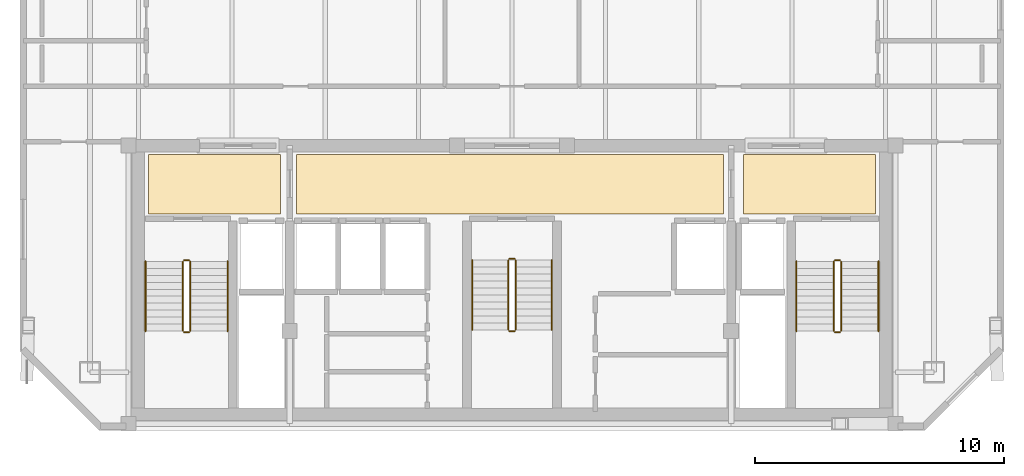
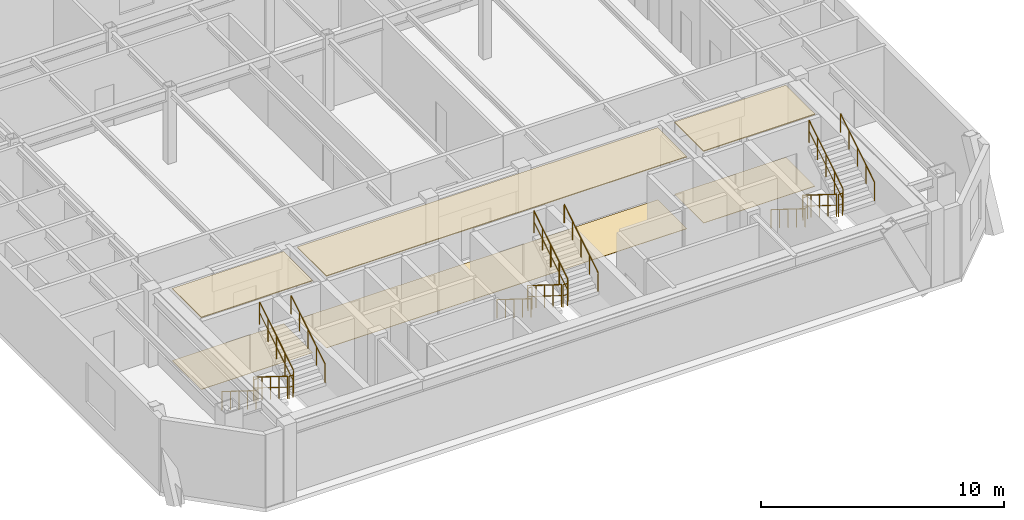
# One storey, part 7 of 7: 18 railings, 6 coverings.
"""IFC4 building model written with IfcOpenShell, lengths in metres."""

import ifcopenshell
import ifcopenshell.guid

model = None  # the IFC model being written
_history = None  # IfcOwnerHistory: only IFC2X3 demands one
_inside = {}  # id of a spatial element -> (the spatial element, [elements in it])
_under = {}  # id of a project, library or spatial element -> (it, [spatial elements below it])
_declared = {}  # id of a project -> (the project, [libraries it declares])
_typed = {}  # id of a type object -> (the type object, [elements of that type])
_made_of = {}  # id of a material, layer set ... -> (it, [elements and type objects made of it])


def new_model(schema):
    """Start an empty IFC model of exactly this schema.

    Asked for "IFC4X3", IfcOpenShell would pick the latest addendum, in which some entities
    have other attributes; the version numbers below select the first issue.
    IFC2X3 requires an IfcOwnerHistory on every rooted entity: one is made here for all.
    """
    global model, _history
    if schema == "IFC4X3":
        model = ifcopenshell.file(schema_version=(4, 3, 0, 0))
    else:
        model = ifcopenshell.file(schema=schema)
    _inside.clear()
    _under.clear()
    _declared.clear()
    _typed.clear()
    _made_of.clear()
    _history = None
    if model.schema == "IFC2X3":
        org = make("IfcOrganization", Name="unknown")
        user = make(
            "IfcPersonAndOrganization",
            ThePerson=make("IfcPerson", FamilyName="unknown"),
            TheOrganization=org,
        )
        app = make(
            "IfcApplication",
            ApplicationDeveloper=org,
            Version="unknown",
            ApplicationFullName="unknown",
            ApplicationIdentifier="unknown",
        )
        _history = make(
            "IfcOwnerHistory",
            OwningUser=user,
            OwningApplication=app,
            ChangeAction="ADDED",
            CreationDate=0,
        )
    return model


def make(cls, **values):
    """One entity of the class cls with the attributes given. An attribute that is None is left unset."""
    return model.create_entity(
        cls, **{name: value for name, value in values.items() if value is not None}
    )


def rooted(cls, **values):
    """An entity with a GlobalId (a new one), such as an element, a storey or a relation."""
    return make(cls, GlobalId=ifcopenshell.guid.new(), OwnerHistory=_history, **values)


def si_unit(unit_type, name, prefix=None):
    """IfcSIUnit, for example si_unit("LENGTHUNIT", "METRE", prefix="MILLI")."""
    return make("IfcSIUnit", UnitType=unit_type, Prefix=prefix, Name=name)


def assignment(units):
    """IfcUnitAssignment: the units of a project."""
    return None if units is None else make("IfcUnitAssignment", Units=units)


def point(xyz):
    """IfcCartesianPoint."""
    return None if xyz is None else make("IfcCartesianPoint", Coordinates=xyz)


def direction(xyz):
    """IfcDirection."""
    return None if xyz is None else make("IfcDirection", DirectionRatios=xyz)


def frame(location, z_axis=None, x_axis=None):
    """IfcAxis2Placement3D, a coordinate frame: its origin and axes. An axis left out is left unset."""
    return make(
        "IfcAxis2Placement3D",
        Location=point(location),
        Axis=direction(z_axis),
        RefDirection=direction(x_axis),
    )


def frame_2d(location, x_axis=None):
    """IfcAxis2Placement2D, a coordinate frame in the plane: its origin and x axis."""
    return make(
        "IfcAxis2Placement2D", Location=point(location), RefDirection=direction(x_axis)
    )


def origin():
    """The frame at (0, 0, 0) with its axes left unset."""
    return frame((0.0, 0.0, 0.0))


def origin_2d():
    """The frame at (0, 0) in the plane with its x axis left unset."""
    return frame_2d((0.0, 0.0))


def place(relative_to, where):
    """IfcLocalPlacement: puts the frame where relative to a parent placement (None: the world)."""
    return make(
        "IfcLocalPlacement", PlacementRelTo=relative_to, RelativePlacement=where
    )


def context(
    kind, dimensions, precision=None, world=None, true_north=None, identifier=None
):
    """IfcGeometricRepresentationContext, for example the 3D "Model" context."""
    return make(
        "IfcGeometricRepresentationContext",
        ContextIdentifier=identifier,
        ContextType=kind,
        CoordinateSpaceDimension=dimensions,
        Precision=precision,
        WorldCoordinateSystem=world,
        TrueNorth=true_north,
    )


def subcontext(parent, identifier, kind, view, scale=None):
    """IfcGeometricRepresentationSubContext, for example "Body" below "Model"."""
    return make(
        "IfcGeometricRepresentationSubContext",
        ContextIdentifier=identifier,
        ContextType=kind,
        ParentContext=parent,
        TargetScale=scale,
        TargetView=view,
    )


def project(units=None, contexts=None):
    """IfcProject with its units and contexts."""
    return rooted(
        "IfcProject",
        Name="project",
        RepresentationContexts=contexts,
        UnitsInContext=assignment(units),
    )


def spatial(cls, under=None, at=None, **own):
    """A site, building, storey or space (cls), placed at a placement, below another one or the project."""
    s = rooted(cls, ObjectPlacement=at, **own)
    if under is not None:
        _under.setdefault(under.id(), (under, []))[1].append(s)
    return s


def polyline(points):
    """IfcPolyline through the points."""
    return make("IfcPolyline", Points=[point(p) for p in points])


def profile(cls, at=None, kind="AREA", **sizes):
    """A parametric profile (cls). Its sizes go by their IFC names, for example OverallWidth=200.0."""
    return make(cls, ProfileType=kind, Position=at, **sizes)


def circle(**sizes):
    """IfcCircleProfileDef."""
    return profile("IfcCircleProfileDef", **sizes)


def outline(outer, holes=None, kind="AREA"):
    """IfcArbitraryClosedProfileDef: a profile drawn as a closed curve; with holes, ...WithVoids."""
    if holes is None:
        return make("IfcArbitraryClosedProfileDef", ProfileType=kind, OuterCurve=outer)
    return make(
        "IfcArbitraryProfileDefWithVoids",
        ProfileType=kind,
        OuterCurve=outer,
        InnerCurves=holes,
    )


def extrude(swept, where, along, depth):
    """IfcExtrudedAreaSolid: the profile swept, set in the frame where, extruded along a direction by depth."""
    return make(
        "IfcExtrudedAreaSolid",
        SweptArea=swept,
        Position=where,
        ExtrudedDirection=direction(along),
        Depth=depth,
    )


def shape(context_of_items, identifier, shape_type, items):
    """IfcShapeRepresentation: the items that make up one representation, for example the "Body"."""
    return make(
        "IfcShapeRepresentation",
        ContextOfItems=context_of_items,
        RepresentationIdentifier=identifier,
        RepresentationType=shape_type,
        Items=items,
    )


def material(Name=None, Category=None):
    """IfcMaterial."""
    return make("IfcMaterial", Name=Name, Category=Category)


def layer(
    of_material, thickness, ventilated=None, Name=None, Category=None, Priority=None
):
    """IfcMaterialLayer: one layer of a wall or slab, of a material (None: an air gap)."""
    return make(
        "IfcMaterialLayer",
        Material=of_material,
        LayerThickness=thickness,
        IsVentilated=ventilated,
        Name=Name,
        Category=Category,
        Priority=Priority,
    )


def layer_set(layers, Name=None):
    """IfcMaterialLayerSet."""
    return make("IfcMaterialLayerSet", MaterialLayers=layers, LayerSetName=Name)


def made_of(thing, what):
    """Note that an element or type object is made of a material, layer set ...; save() writes the relation."""
    if what is not None:
        _made_of.setdefault(what.id(), (what, []))[1].append(thing)
    return thing


def type_object(cls, material=None, **own):
    """A type object (cls), such as IfcWallType, which elements share."""
    return made_of(rooted(cls, **own), material)


def element(
    cls,
    number,
    at=None,
    inside=None,
    cuts=None,
    type_object=None,
    material=None,
    context=None,
    identifier="Body",
    shape_type=None,
    held_by="IfcProductDefinitionShape",
    body=None,
    shapes=None,
    **own,
):
    """One element of the class cls, such as IfcWall. Its Tag is "e" and its number.

    at: its placement. inside: the storey or other place that contains it. cuts: it is an
    opening in that element (IfcRelVoidsElement). A single representation is given by context,
    identifier, shape_type and body (its items); several are given by shapes. held_by: the class
    of the entity that holds the representations. save() writes the other relations.
    """
    e = rooted(cls, Tag="e%d" % number, ObjectPlacement=at, **own)
    if body is not None:
        shapes = [shape(context, identifier, shape_type, body)]
    if shapes is not None:
        e.Representation = make(held_by, Representations=shapes)
    if inside is not None:
        _inside.setdefault(inside.id(), (inside, []))[1].append(e)
    if cuts is not None:
        rooted(
            "IfcRelVoidsElement", RelatingBuildingElement=cuts, RelatedOpeningElement=e
        )
    if type_object is not None:
        _typed.setdefault(type_object.id(), (type_object, []))[1].append(e)
    return made_of(e, material)


def aggregate(whole, parts):
    """IfcRelAggregates: a whole, such as a stair, and the parts it consists of."""
    return rooted("IfcRelAggregates", RelatingObject=whole, RelatedObjects=parts)


def save(model, path):
    """Write the relations noted so far, then the file.

    IfcRelAggregates (storeys below a building ...), IfcRelContainedInSpatialStructure (elements
    in a storey), IfcRelDefinesByType, IfcRelAssociatesMaterial and IfcRelDeclares: one each for
    every whole, place, type object, material and project.
    """
    for whole, parts in _under.values():
        aggregate(whole, parts)
    for where, things in _inside.values():
        rooted(
            "IfcRelContainedInSpatialStructure",
            RelatedElements=things,
            RelatingStructure=where,
        )
    for kind, things in _typed.values():
        rooted("IfcRelDefinesByType", RelatedObjects=things, RelatingType=kind)
    for what, things in _made_of.values():
        rooted("IfcRelAssociatesMaterial", RelatedObjects=things, RelatingMaterial=what)
    for by, libraries in _declared.values():
        rooted("IfcRelDeclares", RelatingContext=by, RelatedDefinitions=libraries)
    model.write(path)


model = new_model("IFC4")

# Units and contexts
model_context = context("Model", 3, precision=1e-05, world=origin(), true_north=direction((0.0, 1.0)))
body_context = subcontext(model_context, "Body", "Model", "MODEL_VIEW")
ifc_project = project(units=[si_unit("LENGTHUNIT", "METRE"), si_unit("AREAUNIT", "SQUARE_METRE"), si_unit("VOLUMEUNIT", "CUBIC_METRE"), si_unit("PLANEANGLEUNIT", "RADIAN"), si_unit("MASSUNIT", "GRAM", prefix="KILO")], contexts=[model_context])

# Site, building, storey
site_placement = place(None, origin())
site = spatial("IfcSite", under=ifc_project, at=site_placement, CompositionType="ELEMENT")
building_placement = place(site_placement, origin())
building = spatial("IfcBuilding", under=site, at=building_placement, Name="Ventersveld Concourse Tower", CompositionType="ELEMENT")
storey_placement = place(building_placement, frame((0.0, 0.0, 316.89990234375)))
storey = spatial("IfcBuildingStorey", under=building, at=storey_placement, Name="L78", CompositionType="ELEMENT", Elevation=316.89990234375)

# Coverings
ifc_material_1 = material(Name="Mineral-fibre acoustic ceiling tile", Category="gypsum")
ifc_layer_1 = layer(ifc_material_1, 0.0400390625)
ifc_layer_set_1 = layer_set([ifc_layer_1], Name="Mineral-fibre acoustic ceiling tile")
covering_type_1 = type_object("IfcCoveringType", Name="COV-CEIL-ACOUSTIC", PredefinedType="CEILING", material=ifc_layer_set_1)
covering_1_placement = place(storey_placement, frame((0.0, 0.0, 3.610107421875)))
element("IfcCovering", 1, at=covering_1_placement, inside=storey, type_object=covering_type_1, Name="L78 North Lift Lobby Acoustic Ceiling", PredefinedType="CEILING", context=body_context, shape_type="SweptSolid", body=[
    extrude(outline(polyline([(20.10009765625, 8.699951171875), (37.25, 8.699951171875), (37.25, 11.10009765625), (20.10009765625, 11.10009765625), (20.10009765625, 8.699951171875)])), origin(), (0.0, 0.0, 1.0), 0.0400390625),
])
covering_2_placement = place(storey_placement, frame((0.0, 0.0, 3.610107421875)))
element("IfcCovering", 2, at=covering_2_placement, inside=storey, type_object=covering_type_1, Name="L78 West Firefighting Lobby Acoustic Ceiling", PredefinedType="CEILING", context=body_context, shape_type="SweptSolid", body=[
    extrude(outline(polyline([(14.14990234375, 8.699951171875), (19.449951171875, 8.699951171875), (19.449951171875, 11.10009765625), (14.14990234375, 11.10009765625), (14.14990234375, 8.699951171875)])), origin(), (0.0, 0.0, 1.0), 0.0400390625),
])
covering_3_placement = place(storey_placement, frame((0.0, 0.0, 3.610107421875)))
element("IfcCovering", 3, at=covering_3_placement, inside=storey, type_object=covering_type_1, Name="L78 East Firefighting Lobby Acoustic Ceiling", PredefinedType="CEILING", context=body_context, shape_type="SweptSolid", body=[
    extrude(outline(polyline([(38.050048828125, 8.699951171875), (43.35009765625, 8.699951171875), (43.35009765625, 11.10009765625), (38.050048828125, 11.10009765625), (38.050048828125, 8.699951171875)])), origin(), (0.0, 0.0, 1.0), 0.0400390625),
])
ifc_material_2 = material(Name="Polished Highveld granite terrazzo", Category="masonry")
ifc_layer_2 = layer(ifc_material_2, 0.02001953125)
ifc_layer_set_2 = layer_set([ifc_layer_2], Name="Polished Highveld granite terrazzo")
covering_type_2 = type_object("IfcCoveringType", Name="COV-FLOOR-TERRAZZO", PredefinedType="FLOORING", material=ifc_layer_set_2)
covering_4_placement = place(storey_placement, origin())
element("IfcCovering", 4, at=covering_4_placement, inside=storey, type_object=covering_type_2, Name="L78 North Lift Lobby Terrazzo Flooring", PredefinedType="FLOORING", context=body_context, shape_type="SweptSolid", body=[
    extrude(outline(polyline([(20.10009765625, 8.699951171875), (37.25, 8.699951171875), (37.25, 11.10009765625), (20.10009765625, 11.10009765625), (20.10009765625, 8.699951171875)])), origin(), (0.0, 0.0, 1.0), 0.02001953125),
])
covering_5_placement = place(storey_placement, origin())
element("IfcCovering", 5, at=covering_5_placement, inside=storey, type_object=covering_type_2, Name="L78 West Firefighting Lobby Terrazzo Flooring", PredefinedType="FLOORING", context=body_context, shape_type="SweptSolid", body=[
    extrude(outline(polyline([(14.14990234375, 8.699951171875), (19.449951171875, 8.699951171875), (19.449951171875, 11.10009765625), (14.14990234375, 11.10009765625), (14.14990234375, 8.699951171875)])), origin(), (0.0, 0.0, 1.0), 0.02001953125),
])
covering_6_placement = place(storey_placement, origin())
element("IfcCovering", 6, at=covering_6_placement, inside=storey, type_object=covering_type_2, Name="L78 East Firefighting Lobby Terrazzo Flooring", PredefinedType="FLOORING", context=body_context, shape_type="SweptSolid", body=[
    extrude(outline(polyline([(38.050048828125, 8.699951171875), (43.35009765625, 8.699951171875), (43.35009765625, 11.10009765625), (38.050048828125, 11.10009765625), (38.050048828125, 8.699951171875)])), origin(), (0.0, 0.0, 1.0), 0.02001953125),
])

# Railings
ifc_material_3 = material(Name="Brushed stainless steel 316", Category="steel")
railing_type_1 = type_object("IfcRailingType", Name="GD-BAL-115", PredefinedType="GUARDRAIL", material=ifc_material_3)
railing_1_placement = place(storey_placement, frame((15.530029296875, 6.800048828125, 0.175048828125)))
element("IfcRailing", 7, at=railing_1_placement, inside=storey, type_object=railing_type_1, Name="L78 ST-01 stair guard 1", PredefinedType="GUARDRAIL", context=body_context, shape_type="SweptSolid", body=[
    extrude(circle(Radius=0.02392578125, at=origin_2d()), frame((0.0, 0.0, 1.1259765625), z_axis=(0.0, -0.848002457836, 0.529992293815), x_axis=(1.0, 0.0, 0.0)), (0.0, 0.0, 1.0), 3.302001953125),
    extrude(circle(Radius=0.01611328125, at=origin_2d()), frame((0.0, 0.0, 0.574951171875), z_axis=(0.0, -0.848002457836, 0.529992293815), x_axis=(1.0, 0.0, 0.0)), (0.0, 0.0, 1.0), 3.302001953125),
    extrude(circle(Radius=0.02099609375, at=origin_2d()), origin(), (0.0, 0.0, 1.0), 1.101806640625),
    extrude(circle(Radius=0.02099609375, at=origin_2d()), frame((0.0, -0.699951171875, 0.4375)), (0.0, 0.0, 1.0), 1.101806640625),
    extrude(circle(Radius=0.02099609375, at=origin_2d()), frame((0.0, -1.39990234375, 0.875)), (0.0, 0.0, 1.0), 1.101806640625),
    extrude(circle(Radius=0.02099609375, at=origin_2d()), frame((0.0, -2.10009765625, 1.3125)), (0.0, 0.0, 1.0), 1.101806640625),
    extrude(circle(Radius=0.02099609375, at=origin_2d()), frame((0.0, -2.800048828125, 1.75)), (0.0, 0.0, 1.0), 1.101806640625),
])
railing_2_placement = place(storey_placement, frame((15.580078125, 3.949951171875, 1.925048828125)))
element("IfcRailing", 8, at=railing_2_placement, inside=storey, type_object=railing_type_1, Name="L78 ST-01 stair guard 2", PredefinedType="GUARDRAIL", context=body_context, shape_type="SweptSolid", body=[
    extrude(circle(Radius=0.02392578125, at=origin_2d()), frame((0.0, 0.0, 1.1259765625), z_axis=(1.0, 0.0, 0.0), x_axis=(0.0, 1.0, 0.0)), (0.0, 0.0, 1.0), 0.199951171875),
    extrude(circle(Radius=0.01611328125, at=origin_2d()), frame((0.0, 0.0, 0.574951171875), z_axis=(1.0, 0.0, 0.0), x_axis=(0.0, 1.0, 0.0)), (0.0, 0.0, 1.0), 0.199951171875),
    extrude(circle(Radius=0.02099609375, at=origin_2d()), origin(), (0.0, 0.0, 1.0), 1.101806640625),
    extrude(circle(Radius=0.02099609375, at=origin_2d()), frame((0.199951171875, 0.0, 0.0)), (0.0, 0.0, 1.0), 1.101806640625),
])
railing_3_placement = place(storey_placement, frame((15.830078125, 4.0, 2.10009765625)))
element("IfcRailing", 9, at=railing_3_placement, inside=storey, type_object=railing_type_1, Name="L78 ST-01 stair guard 3", PredefinedType="GUARDRAIL", context=body_context, shape_type="SweptSolid", body=[
    extrude(circle(Radius=0.02392578125, at=origin_2d()), frame((0.0, 0.0, 1.1259765625), z_axis=(0.0, 0.848002457836, 0.529992293815), x_axis=(-1.0, 0.0, 0.0)), (0.0, 0.0, 1.0), 3.302001953125),
    extrude(circle(Radius=0.01611328125, at=origin_2d()), frame((0.0, 0.0, 0.574951171875), z_axis=(0.0, 0.848002457836, 0.529992293815), x_axis=(-1.0, 0.0, 0.0)), (0.0, 0.0, 1.0), 3.302001953125),
    extrude(circle(Radius=0.02099609375, at=origin_2d()), origin(), (0.0, 0.0, 1.0), 1.101806640625),
    extrude(circle(Radius=0.02099609375, at=origin_2d()), frame((0.0, 0.699951171875, 0.4375)), (0.0, 0.0, 1.0), 1.101806640625),
    extrude(circle(Radius=0.02099609375, at=origin_2d()), frame((0.0, 1.39990234375, 0.875)), (0.0, 0.0, 1.0), 1.101806640625),
    extrude(circle(Radius=0.02099609375, at=origin_2d()), frame((0.0, 2.10009765625, 1.3125)), (0.0, 0.0, 1.0), 1.101806640625),
    extrude(circle(Radius=0.02099609375, at=origin_2d()), frame((0.0, 2.800048828125, 1.75)), (0.0, 0.0, 1.0), 1.101806640625),
])
railing_4_placement = place(storey_placement, frame((15.580078125, 6.85009765625, 0.0)))
element("IfcRailing", 10, at=railing_4_placement, inside=storey, type_object=railing_type_1, Name="L78 ST-01 stair guard 4", PredefinedType="GUARDRAIL", context=body_context, shape_type="SweptSolid", body=[
    extrude(circle(Radius=0.02392578125, at=origin_2d()), frame((0.0, 0.0, 1.1259765625), z_axis=(1.0, 0.0, 0.0), x_axis=(0.0, 1.0, 0.0)), (0.0, 0.0, 1.0), 0.199951171875),
    extrude(circle(Radius=0.01611328125, at=origin_2d()), frame((0.0, 0.0, 0.574951171875), z_axis=(1.0, 0.0, 0.0), x_axis=(0.0, 1.0, 0.0)), (0.0, 0.0, 1.0), 0.199951171875),
    extrude(circle(Radius=0.02099609375, at=origin_2d()), origin(), (0.0, 0.0, 1.0), 1.101806640625),
    extrude(circle(Radius=0.02099609375, at=origin_2d()), frame((0.199951171875, 0.0, 0.0)), (0.0, 0.0, 1.0), 1.101806640625),
])
railing_5_placement = place(storey_placement, frame((41.669921875, 6.800048828125, 0.175048828125)))
element("IfcRailing", 11, at=railing_5_placement, inside=storey, type_object=railing_type_1, Name="L78 ST-02 stair guard 1", PredefinedType="GUARDRAIL", context=body_context, shape_type="SweptSolid", body=[
    extrude(circle(Radius=0.02392578125, at=origin_2d()), frame((0.0, 0.0, 1.1259765625), z_axis=(0.0, -0.848002457836, 0.529992293815), x_axis=(1.0, 0.0, 0.0)), (0.0, 0.0, 1.0), 3.302001953125),
    extrude(circle(Radius=0.01611328125, at=origin_2d()), frame((0.0, 0.0, 0.574951171875), z_axis=(0.0, -0.848002457836, 0.529992293815), x_axis=(1.0, 0.0, 0.0)), (0.0, 0.0, 1.0), 3.302001953125),
    extrude(circle(Radius=0.02099609375, at=origin_2d()), origin(), (0.0, 0.0, 1.0), 1.101806640625),
    extrude(circle(Radius=0.02099609375, at=origin_2d()), frame((0.0, -0.699951171875, 0.4375)), (0.0, 0.0, 1.0), 1.101806640625),
    extrude(circle(Radius=0.02099609375, at=origin_2d()), frame((0.0, -1.39990234375, 0.875)), (0.0, 0.0, 1.0), 1.101806640625),
    extrude(circle(Radius=0.02099609375, at=origin_2d()), frame((0.0, -2.10009765625, 1.3125)), (0.0, 0.0, 1.0), 1.101806640625),
    extrude(circle(Radius=0.02099609375, at=origin_2d()), frame((0.0, -2.800048828125, 1.75)), (0.0, 0.0, 1.0), 1.101806640625),
])
railing_6_placement = place(storey_placement, frame((41.719970703125, 3.949951171875, 1.925048828125)))
element("IfcRailing", 12, at=railing_6_placement, inside=storey, type_object=railing_type_1, Name="L78 ST-02 stair guard 2", PredefinedType="GUARDRAIL", context=body_context, shape_type="SweptSolid", body=[
    extrude(circle(Radius=0.02392578125, at=origin_2d()), frame((0.0, 0.0, 1.1259765625), z_axis=(1.0, 0.0, 0.0), x_axis=(0.0, 1.0, 0.0)), (0.0, 0.0, 1.0), 0.199951171875),
    extrude(circle(Radius=0.01611328125, at=origin_2d()), frame((0.0, 0.0, 0.574951171875), z_axis=(1.0, 0.0, 0.0), x_axis=(0.0, 1.0, 0.0)), (0.0, 0.0, 1.0), 0.199951171875),
    extrude(circle(Radius=0.02099609375, at=origin_2d()), origin(), (0.0, 0.0, 1.0), 1.101806640625),
    extrude(circle(Radius=0.02099609375, at=origin_2d()), frame((0.199951171875, 0.0, 0.0)), (0.0, 0.0, 1.0), 1.101806640625),
])
railing_7_placement = place(storey_placement, frame((41.969970703125, 4.0, 2.10009765625)))
element("IfcRailing", 13, at=railing_7_placement, inside=storey, type_object=railing_type_1, Name="L78 ST-02 stair guard 3", PredefinedType="GUARDRAIL", context=body_context, shape_type="SweptSolid", body=[
    extrude(circle(Radius=0.02392578125, at=origin_2d()), frame((0.0, 0.0, 1.1259765625), z_axis=(0.0, 0.848002457836, 0.529992293815), x_axis=(-1.0, 0.0, 0.0)), (0.0, 0.0, 1.0), 3.302001953125),
    extrude(circle(Radius=0.01611328125, at=origin_2d()), frame((0.0, 0.0, 0.574951171875), z_axis=(0.0, 0.848002457836, 0.529992293815), x_axis=(-1.0, 0.0, 0.0)), (0.0, 0.0, 1.0), 3.302001953125),
    extrude(circle(Radius=0.02099609375, at=origin_2d()), origin(), (0.0, 0.0, 1.0), 1.101806640625),
    extrude(circle(Radius=0.02099609375, at=origin_2d()), frame((0.0, 0.699951171875, 0.4375)), (0.0, 0.0, 1.0), 1.101806640625),
    extrude(circle(Radius=0.02099609375, at=origin_2d()), frame((0.0, 1.39990234375, 0.875)), (0.0, 0.0, 1.0), 1.101806640625),
    extrude(circle(Radius=0.02099609375, at=origin_2d()), frame((0.0, 2.10009765625, 1.3125)), (0.0, 0.0, 1.0), 1.101806640625),
    extrude(circle(Radius=0.02099609375, at=origin_2d()), frame((0.0, 2.800048828125, 1.75)), (0.0, 0.0, 1.0), 1.101806640625),
])
railing_8_placement = place(storey_placement, frame((41.719970703125, 6.85009765625, 0.0)))
element("IfcRailing", 14, at=railing_8_placement, inside=storey, type_object=railing_type_1, Name="L78 ST-02 stair guard 4", PredefinedType="GUARDRAIL", context=body_context, shape_type="SweptSolid", body=[
    extrude(circle(Radius=0.02392578125, at=origin_2d()), frame((0.0, 0.0, 1.1259765625), z_axis=(1.0, 0.0, 0.0), x_axis=(0.0, 1.0, 0.0)), (0.0, 0.0, 1.0), 0.199951171875),
    extrude(circle(Radius=0.01611328125, at=origin_2d()), frame((0.0, 0.0, 0.574951171875), z_axis=(1.0, 0.0, 0.0), x_axis=(0.0, 1.0, 0.0)), (0.0, 0.0, 1.0), 0.199951171875),
    extrude(circle(Radius=0.02099609375, at=origin_2d()), origin(), (0.0, 0.0, 1.0), 1.101806640625),
    extrude(circle(Radius=0.02099609375, at=origin_2d()), frame((0.199951171875, 0.0, 0.0)), (0.0, 0.0, 1.0), 1.101806640625),
])
railing_9_placement = place(storey_placement, frame((28.60009765625, 6.85009765625, 0.175048828125)))
element("IfcRailing", 15, at=railing_9_placement, inside=storey, type_object=railing_type_1, Name="L78 ST-03 stair guard 1", PredefinedType="GUARDRAIL", context=body_context, shape_type="SweptSolid", body=[
    extrude(circle(Radius=0.02392578125, at=origin_2d()), frame((0.0, 0.0, 1.1259765625), z_axis=(0.0, -0.848002457836, 0.529992293815), x_axis=(1.0, 0.0, 0.0)), (0.0, 0.0, 1.0), 3.302001953125),
    extrude(circle(Radius=0.01611328125, at=origin_2d()), frame((0.0, 0.0, 0.574951171875), z_axis=(0.0, -0.848002457836, 0.529992293815), x_axis=(1.0, 0.0, 0.0)), (0.0, 0.0, 1.0), 3.302001953125),
    extrude(circle(Radius=0.02099609375, at=origin_2d()), origin(), (0.0, 0.0, 1.0), 1.101806640625),
    extrude(circle(Radius=0.02099609375, at=origin_2d()), frame((0.0, -0.699951171875, 0.4375)), (0.0, 0.0, 1.0), 1.101806640625),
    extrude(circle(Radius=0.02099609375, at=origin_2d()), frame((0.0, -1.39990234375, 0.875)), (0.0, 0.0, 1.0), 1.101806640625),
    extrude(circle(Radius=0.02099609375, at=origin_2d()), frame((0.0, -2.10009765625, 1.3125)), (0.0, 0.0, 1.0), 1.101806640625),
    extrude(circle(Radius=0.02099609375, at=origin_2d()), frame((0.0, -2.800048828125, 1.75)), (0.0, 0.0, 1.0), 1.101806640625),
])
railing_10_placement = place(storey_placement, frame((28.64990234375, 4.0, 1.925048828125)))
element("IfcRailing", 16, at=railing_10_placement, inside=storey, type_object=railing_type_1, Name="L78 ST-03 stair guard 2", PredefinedType="GUARDRAIL", context=body_context, shape_type="SweptSolid", body=[
    extrude(circle(Radius=0.02392578125, at=origin_2d()), frame((0.0, 0.0, 1.1259765625), z_axis=(1.0, 0.0, 0.0), x_axis=(0.0, 1.0, 0.0)), (0.0, 0.0, 1.0), 0.2001953125),
    extrude(circle(Radius=0.01611328125, at=origin_2d()), frame((0.0, 0.0, 0.574951171875), z_axis=(1.0, 0.0, 0.0), x_axis=(0.0, 1.0, 0.0)), (0.0, 0.0, 1.0), 0.2001953125),
    extrude(circle(Radius=0.02099609375, at=origin_2d()), origin(), (0.0, 0.0, 1.0), 1.101806640625),
    extrude(circle(Radius=0.02099609375, at=origin_2d()), frame((0.2001953125, 0.0, 0.0)), (0.0, 0.0, 1.0), 1.101806640625),
])
railing_11_placement = place(storey_placement, frame((28.89990234375, 4.050048828125, 2.10009765625)))
element("IfcRailing", 17, at=railing_11_placement, inside=storey, type_object=railing_type_1, Name="L78 ST-03 stair guard 3", PredefinedType="GUARDRAIL", context=body_context, shape_type="SweptSolid", body=[
    extrude(circle(Radius=0.02392578125, at=origin_2d()), frame((0.0, 0.0, 1.1259765625), z_axis=(0.0, 0.848002457836, 0.529992293815), x_axis=(-1.0, 0.0, 0.0)), (0.0, 0.0, 1.0), 3.302001953125),
    extrude(circle(Radius=0.01611328125, at=origin_2d()), frame((0.0, 0.0, 0.574951171875), z_axis=(0.0, 0.848002457836, 0.529992293815), x_axis=(-1.0, 0.0, 0.0)), (0.0, 0.0, 1.0), 3.302001953125),
    extrude(circle(Radius=0.02099609375, at=origin_2d()), origin(), (0.0, 0.0, 1.0), 1.101806640625),
    extrude(circle(Radius=0.02099609375, at=origin_2d()), frame((0.0, 0.699951171875, 0.4375)), (0.0, 0.0, 1.0), 1.101806640625),
    extrude(circle(Radius=0.02099609375, at=origin_2d()), frame((0.0, 1.39990234375, 0.875)), (0.0, 0.0, 1.0), 1.101806640625),
    extrude(circle(Radius=0.02099609375, at=origin_2d()), frame((0.0, 2.10009765625, 1.3125)), (0.0, 0.0, 1.0), 1.101806640625),
    extrude(circle(Radius=0.02099609375, at=origin_2d()), frame((0.0, 2.800048828125, 1.75)), (0.0, 0.0, 1.0), 1.101806640625),
])
railing_12_placement = place(storey_placement, frame((28.64990234375, 6.89990234375, 0.0)))
element("IfcRailing", 18, at=railing_12_placement, inside=storey, type_object=railing_type_1, Name="L78 ST-03 stair guard 4", PredefinedType="GUARDRAIL", context=body_context, shape_type="SweptSolid", body=[
    extrude(circle(Radius=0.02392578125, at=origin_2d()), frame((0.0, 0.0, 1.1259765625), z_axis=(1.0, 0.0, 0.0), x_axis=(0.0, 1.0, 0.0)), (0.0, 0.0, 1.0), 0.2001953125),
    extrude(circle(Radius=0.01611328125, at=origin_2d()), frame((0.0, 0.0, 0.574951171875), z_axis=(1.0, 0.0, 0.0), x_axis=(0.0, 1.0, 0.0)), (0.0, 0.0, 1.0), 0.2001953125),
    extrude(circle(Radius=0.02099609375, at=origin_2d()), origin(), (0.0, 0.0, 1.0), 1.101806640625),
    extrude(circle(Radius=0.02099609375, at=origin_2d()), frame((0.2001953125, 0.0, 0.0)), (0.0, 0.0, 1.0), 1.101806640625),
])
railing_type_2 = type_object("IfcRailingType", Name="HR-RMP-095", PredefinedType="HANDRAIL", material=ifc_material_3)
railing_13_placement = place(storey_placement, frame((14.030029296875, 6.800048828125, 0.175048828125)))
element("IfcRailing", 19, at=railing_13_placement, inside=storey, type_object=railing_type_2, Name="L78 ST-01 stair handrail 1", PredefinedType="HANDRAIL", context=body_context, shape_type="SweptSolid", body=[
    extrude(circle(Radius=0.02392578125, at=origin_2d()), frame((0.0, 0.0, 0.92578125), z_axis=(0.0, -0.848002457836, 0.529992293815), x_axis=(1.0, 0.0, 0.0)), (0.0, 0.0, 1.0), 3.302001953125),
    extrude(circle(Radius=0.02099609375, at=origin_2d()), origin(), (0.0, 0.0, 1.0), 0.90185546875),
    extrude(circle(Radius=0.02099609375, at=origin_2d()), frame((0.0, -0.699951171875, 0.4375)), (0.0, 0.0, 1.0), 0.90185546875),
    extrude(circle(Radius=0.02099609375, at=origin_2d()), frame((0.0, -1.39990234375, 0.875)), (0.0, 0.0, 1.0), 0.90185546875),
    extrude(circle(Radius=0.02099609375, at=origin_2d()), frame((0.0, -2.10009765625, 1.3125)), (0.0, 0.0, 1.0), 0.90185546875),
    extrude(circle(Radius=0.02099609375, at=origin_2d()), frame((0.0, -2.800048828125, 1.75)), (0.0, 0.0, 1.0), 0.90185546875),
])
railing_14_placement = place(storey_placement, frame((17.330078125, 4.0, 2.10009765625)))
element("IfcRailing", 20, at=railing_14_placement, inside=storey, type_object=railing_type_2, Name="L78 ST-01 stair handrail 2", PredefinedType="HANDRAIL", context=body_context, shape_type="SweptSolid", body=[
    extrude(circle(Radius=0.02392578125, at=origin_2d()), frame((0.0, 0.0, 0.92578125), z_axis=(0.0, 0.848002457836, 0.529992293815), x_axis=(-1.0, 0.0, 0.0)), (0.0, 0.0, 1.0), 3.302001953125),
    extrude(circle(Radius=0.02099609375, at=origin_2d()), origin(), (0.0, 0.0, 1.0), 0.90185546875),
    extrude(circle(Radius=0.02099609375, at=origin_2d()), frame((0.0, 0.699951171875, 0.4375)), (0.0, 0.0, 1.0), 0.90185546875),
    extrude(circle(Radius=0.02099609375, at=origin_2d()), frame((0.0, 1.39990234375, 0.875)), (0.0, 0.0, 1.0), 0.90185546875),
    extrude(circle(Radius=0.02099609375, at=origin_2d()), frame((0.0, 2.10009765625, 1.3125)), (0.0, 0.0, 1.0), 0.90185546875),
    extrude(circle(Radius=0.02099609375, at=origin_2d()), frame((0.0, 2.800048828125, 1.75)), (0.0, 0.0, 1.0), 0.90185546875),
])
railing_15_placement = place(storey_placement, frame((40.169921875, 6.800048828125, 0.175048828125)))
element("IfcRailing", 21, at=railing_15_placement, inside=storey, type_object=railing_type_2, Name="L78 ST-02 stair handrail 1", PredefinedType="HANDRAIL", context=body_context, shape_type="SweptSolid", body=[
    extrude(circle(Radius=0.02392578125, at=origin_2d()), frame((0.0, 0.0, 0.92578125), z_axis=(0.0, -0.848002457836, 0.529992293815), x_axis=(1.0, 0.0, 0.0)), (0.0, 0.0, 1.0), 3.302001953125),
    extrude(circle(Radius=0.02099609375, at=origin_2d()), origin(), (0.0, 0.0, 1.0), 0.90185546875),
    extrude(circle(Radius=0.02099609375, at=origin_2d()), frame((0.0, -0.699951171875, 0.4375)), (0.0, 0.0, 1.0), 0.90185546875),
    extrude(circle(Radius=0.02099609375, at=origin_2d()), frame((0.0, -1.39990234375, 0.875)), (0.0, 0.0, 1.0), 0.90185546875),
    extrude(circle(Radius=0.02099609375, at=origin_2d()), frame((0.0, -2.10009765625, 1.3125)), (0.0, 0.0, 1.0), 0.90185546875),
    extrude(circle(Radius=0.02099609375, at=origin_2d()), frame((0.0, -2.800048828125, 1.75)), (0.0, 0.0, 1.0), 0.90185546875),
])
railing_16_placement = place(storey_placement, frame((43.469970703125, 4.0, 2.10009765625)))
element("IfcRailing", 22, at=railing_16_placement, inside=storey, type_object=railing_type_2, Name="L78 ST-02 stair handrail 2", PredefinedType="HANDRAIL", context=body_context, shape_type="SweptSolid", body=[
    extrude(circle(Radius=0.02392578125, at=origin_2d()), frame((0.0, 0.0, 0.92578125), z_axis=(0.0, 0.848002457836, 0.529992293815), x_axis=(-1.0, 0.0, 0.0)), (0.0, 0.0, 1.0), 3.302001953125),
    extrude(circle(Radius=0.02099609375, at=origin_2d()), origin(), (0.0, 0.0, 1.0), 0.90185546875),
    extrude(circle(Radius=0.02099609375, at=origin_2d()), frame((0.0, 0.699951171875, 0.4375)), (0.0, 0.0, 1.0), 0.90185546875),
    extrude(circle(Radius=0.02099609375, at=origin_2d()), frame((0.0, 1.39990234375, 0.875)), (0.0, 0.0, 1.0), 0.90185546875),
    extrude(circle(Radius=0.02099609375, at=origin_2d()), frame((0.0, 2.10009765625, 1.3125)), (0.0, 0.0, 1.0), 0.90185546875),
    extrude(circle(Radius=0.02099609375, at=origin_2d()), frame((0.0, 2.800048828125, 1.75)), (0.0, 0.0, 1.0), 0.90185546875),
])
railing_17_placement = place(storey_placement, frame((27.14990234375, 6.85009765625, 0.175048828125)))
element("IfcRailing", 23, at=railing_17_placement, inside=storey, type_object=railing_type_2, Name="L78 ST-03 stair handrail 1", PredefinedType="HANDRAIL", context=body_context, shape_type="SweptSolid", body=[
    extrude(circle(Radius=0.02392578125, at=origin_2d()), frame((0.0, 0.0, 0.92578125), z_axis=(0.0, -0.848002457836, 0.529992293815), x_axis=(1.0, 0.0, 0.0)), (0.0, 0.0, 1.0), 3.302001953125),
    extrude(circle(Radius=0.02099609375, at=origin_2d()), origin(), (0.0, 0.0, 1.0), 0.90185546875),
    extrude(circle(Radius=0.02099609375, at=origin_2d()), frame((0.0, -0.699951171875, 0.4375)), (0.0, 0.0, 1.0), 0.90185546875),
    extrude(circle(Radius=0.02099609375, at=origin_2d()), frame((0.0, -1.39990234375, 0.875)), (0.0, 0.0, 1.0), 0.90185546875),
    extrude(circle(Radius=0.02099609375, at=origin_2d()), frame((0.0, -2.10009765625, 1.3125)), (0.0, 0.0, 1.0), 0.90185546875),
    extrude(circle(Radius=0.02099609375, at=origin_2d()), frame((0.0, -2.800048828125, 1.75)), (0.0, 0.0, 1.0), 0.90185546875),
])
railing_18_placement = place(storey_placement, frame((30.35009765625, 4.050048828125, 2.10009765625)))
element("IfcRailing", 24, at=railing_18_placement, inside=storey, type_object=railing_type_2, Name="L78 ST-03 stair handrail 2", PredefinedType="HANDRAIL", context=body_context, shape_type="SweptSolid", body=[
    extrude(circle(Radius=0.02392578125, at=origin_2d()), frame((0.0, 0.0, 0.92578125), z_axis=(0.0, 0.848002457836, 0.529992293815), x_axis=(-1.0, 0.0, 0.0)), (0.0, 0.0, 1.0), 3.302001953125),
    extrude(circle(Radius=0.02099609375, at=origin_2d()), origin(), (0.0, 0.0, 1.0), 0.90185546875),
    extrude(circle(Radius=0.02099609375, at=origin_2d()), frame((0.0, 0.699951171875, 0.4375)), (0.0, 0.0, 1.0), 0.90185546875),
    extrude(circle(Radius=0.02099609375, at=origin_2d()), frame((0.0, 1.39990234375, 0.875)), (0.0, 0.0, 1.0), 0.90185546875),
    extrude(circle(Radius=0.02099609375, at=origin_2d()), frame((0.0, 2.10009765625, 1.3125)), (0.0, 0.0, 1.0), 0.90185546875),
    extrude(circle(Radius=0.02099609375, at=origin_2d()), frame((0.0, 2.800048828125, 1.75)), (0.0, 0.0, 1.0), 0.90185546875),
])

save(model, "model.ifc")
